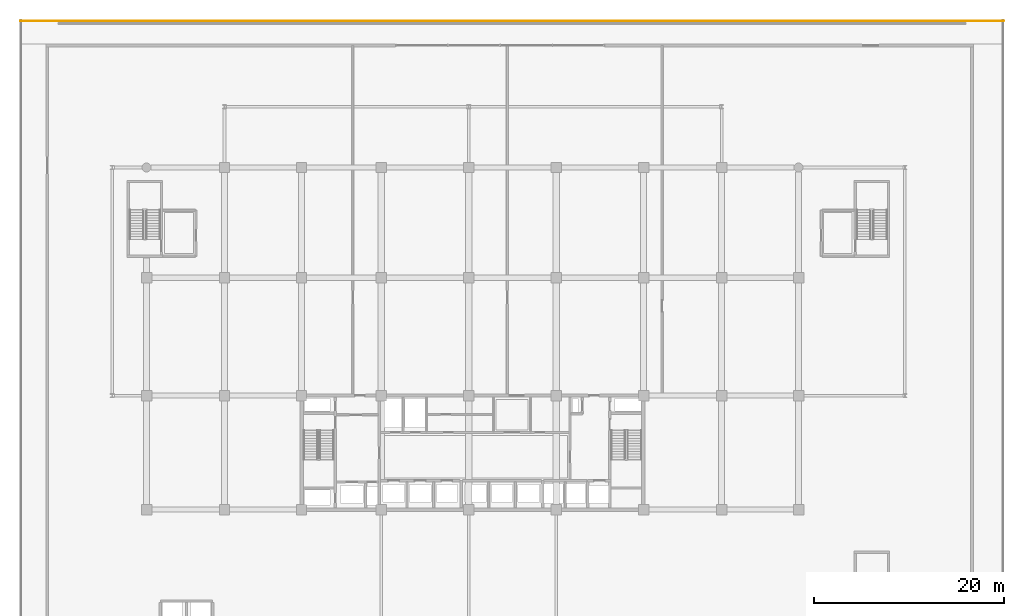
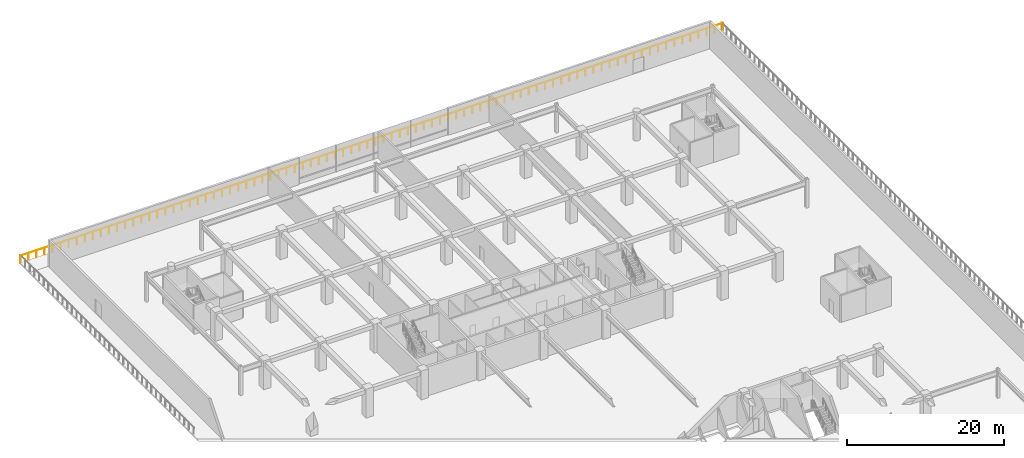
# One storey, part 43 of 43: 1 railing.
"""IFC4 building model written with IfcOpenShell, lengths in metres."""

from ifc_helpers import new_model, si_unit, direction, frame, origin, origin_2d, place, context, subcontext, project, spatial, circle, extrude, material, type_object, element, save


model = new_model("IFC4")

# Units and contexts
model_context = context("Model", 3, precision=1e-05, world=origin(), true_north=direction((0.0, 1.0)))
body_context = subcontext(model_context, "Body", "Model", "MODEL_VIEW")
ifc_project = project(units=[si_unit("LENGTHUNIT", "METRE"), si_unit("AREAUNIT", "SQUARE_METRE"), si_unit("VOLUMEUNIT", "CUBIC_METRE"), si_unit("PLANEANGLEUNIT", "RADIAN"), si_unit("MASSUNIT", "GRAM", prefix="KILO")], contexts=[model_context])

# Site, building, storey
site_placement = place(None, origin())
site = spatial("IfcSite", under=ifc_project, at=site_placement, CompositionType="ELEMENT")
building_placement = place(site_placement, origin())
building = spatial("IfcBuilding", under=site, at=building_placement, Name="Korimba Cascade Residences", CompositionType="ELEMENT")
storey_placement = place(building_placement, frame((0.0, 0.0, 10.0)))
storey = spatial("IfcBuildingStorey", under=building, at=storey_placement, Name="L02", CompositionType="ELEMENT", Elevation=10.0)

# Railing
ifc_material = material(Name="Painted Galvanised Steel Terrace Guardrail", Category="steel")
railing_type = type_object("IfcRailingType", Name="RLG-TER-1150", PredefinedType="GUARDRAIL", material=ifc_material)
railing_placement = place(storey_placement, frame((150.0, 106.6201171875, 0.0)))
element("IfcRailing", 1, at=railing_placement, inside=storey, type_object=railing_type, Name="L02 Perimeter Guardrail RLG-L02-TER-03", PredefinedType="GUARDRAIL", context=body_context, shape_type="SweptSolid", body=[
    extrude(circle(Radius=0.02392578125, at=origin_2d()), frame((0.0, 0.0, 1.1259765625), z_axis=(-1.0, 0.0, 0.0), x_axis=(0.0, -1.0, 0.0)), (0.0, 0.0, 1.0), 103.5),
    extrude(circle(Radius=0.02099609375, at=origin_2d()), origin(), (0.0, 0.0, 1.0), 1.101806640625),
    extrude(circle(Radius=0.02099609375, at=origin_2d()), frame((-1.189697265625, 0.0, 0.0)), (0.0, 0.0, 1.0), 1.101806640625),
    extrude(circle(Radius=0.02099609375, at=origin_2d()), frame((-2.37939453125, 0.0, 0.0)), (0.0, 0.0, 1.0), 1.101806640625),
    extrude(circle(Radius=0.02099609375, at=origin_2d()), frame((-3.56884765625, 0.0, 0.0)), (0.0, 0.0, 1.0), 1.101806640625),
    extrude(circle(Radius=0.02099609375, at=origin_2d()), frame((-4.758544921875, 0.0, 0.0)), (0.0, 0.0, 1.0), 1.101806640625),
    extrude(circle(Radius=0.02099609375, at=origin_2d()), frame((-5.9482421875, 0.0, 0.0)), (0.0, 0.0, 1.0), 1.101806640625),
    extrude(circle(Radius=0.02099609375, at=origin_2d()), frame((-7.137939453125, 0.0, 0.0)), (0.0, 0.0, 1.0), 1.101806640625),
    extrude(circle(Radius=0.02099609375, at=origin_2d()), frame((-8.32763671875, 0.0, 0.0)), (0.0, 0.0, 1.0), 1.101806640625),
    extrude(circle(Radius=0.02099609375, at=origin_2d()), frame((-9.517333984375, 0.0, 0.0)), (0.0, 0.0, 1.0), 1.101806640625),
    extrude(circle(Radius=0.02099609375, at=origin_2d()), frame((-10.706787109375, 0.0, 0.0)), (0.0, 0.0, 1.0), 1.101806640625),
    extrude(circle(Radius=0.02099609375, at=origin_2d()), frame((-11.896484375, 0.0, 0.0)), (0.0, 0.0, 1.0), 1.101806640625),
    extrude(circle(Radius=0.02099609375, at=origin_2d()), frame((-13.086181640625, 0.0, 0.0)), (0.0, 0.0, 1.0), 1.101806640625),
    extrude(circle(Radius=0.02099609375, at=origin_2d()), frame((-14.27587890625, 0.0, 0.0)), (0.0, 0.0, 1.0), 1.101806640625),
    extrude(circle(Radius=0.02099609375, at=origin_2d()), frame((-15.465576171875, 0.0, 0.0)), (0.0, 0.0, 1.0), 1.101806640625),
    extrude(circle(Radius=0.02099609375, at=origin_2d()), frame((-16.6552734375, 0.0, 0.0)), (0.0, 0.0, 1.0), 1.101806640625),
    extrude(circle(Radius=0.02099609375, at=origin_2d()), frame((-17.8447265625, 0.0, 0.0)), (0.0, 0.0, 1.0), 1.101806640625),
    extrude(circle(Radius=0.02099609375, at=origin_2d()), frame((-19.034423828125, 0.0, 0.0)), (0.0, 0.0, 1.0), 1.101806640625),
    extrude(circle(Radius=0.02099609375, at=origin_2d()), frame((-20.22412109375, 0.0, 0.0)), (0.0, 0.0, 1.0), 1.101806640625),
    extrude(circle(Radius=0.02099609375, at=origin_2d()), frame((-21.413818359375, 0.0, 0.0)), (0.0, 0.0, 1.0), 1.101806640625),
    extrude(circle(Radius=0.02099609375, at=origin_2d()), frame((-22.603515625, 0.0, 0.0)), (0.0, 0.0, 1.0), 1.101806640625),
    extrude(circle(Radius=0.02099609375, at=origin_2d()), frame((-23.793212890625, 0.0, 0.0)), (0.0, 0.0, 1.0), 1.101806640625),
    extrude(circle(Radius=0.02099609375, at=origin_2d()), frame((-24.982666015625, 0.0, 0.0)), (0.0, 0.0, 1.0), 1.101806640625),
    extrude(circle(Radius=0.02099609375, at=origin_2d()), frame((-26.17236328125, 0.0, 0.0)), (0.0, 0.0, 1.0), 1.101806640625),
    extrude(circle(Radius=0.02099609375, at=origin_2d()), frame((-27.362060546875, 0.0, 0.0)), (0.0, 0.0, 1.0), 1.101806640625),
    extrude(circle(Radius=0.02099609375, at=origin_2d()), frame((-28.5517578125, 0.0, 0.0)), (0.0, 0.0, 1.0), 1.101806640625),
    extrude(circle(Radius=0.02099609375, at=origin_2d()), frame((-29.741455078125, 0.0, 0.0)), (0.0, 0.0, 1.0), 1.101806640625),
    extrude(circle(Radius=0.02099609375, at=origin_2d()), frame((-30.93115234375, 0.0, 0.0)), (0.0, 0.0, 1.0), 1.101806640625),
    extrude(circle(Radius=0.02099609375, at=origin_2d()), frame((-32.12060546875, 0.0, 0.0)), (0.0, 0.0, 1.0), 1.101806640625),
    extrude(circle(Radius=0.02099609375, at=origin_2d()), frame((-33.310302734375, 0.0, 0.0)), (0.0, 0.0, 1.0), 1.101806640625),
    extrude(circle(Radius=0.02099609375, at=origin_2d()), frame((-34.5, 0.0, 0.0)), (0.0, 0.0, 1.0), 1.101806640625),
    extrude(circle(Radius=0.02099609375, at=origin_2d()), frame((-35.689697265625, 0.0, 0.0)), (0.0, 0.0, 1.0), 1.101806640625),
    extrude(circle(Radius=0.02099609375, at=origin_2d()), frame((-36.87939453125, 0.0, 0.0)), (0.0, 0.0, 1.0), 1.101806640625),
    extrude(circle(Radius=0.02099609375, at=origin_2d()), frame((-38.06884765625, 0.0, 0.0)), (0.0, 0.0, 1.0), 1.101806640625),
    extrude(circle(Radius=0.02099609375, at=origin_2d()), frame((-39.258544921875, 0.0, 0.0)), (0.0, 0.0, 1.0), 1.101806640625),
    extrude(circle(Radius=0.02099609375, at=origin_2d()), frame((-40.4482421875, 0.0, 0.0)), (0.0, 0.0, 1.0), 1.101806640625),
    extrude(circle(Radius=0.02099609375, at=origin_2d()), frame((-41.637939453125, 0.0, 0.0)), (0.0, 0.0, 1.0), 1.101806640625),
    extrude(circle(Radius=0.02099609375, at=origin_2d()), frame((-42.82763671875, 0.0, 0.0)), (0.0, 0.0, 1.0), 1.101806640625),
    extrude(circle(Radius=0.02099609375, at=origin_2d()), frame((-44.017333984375, 0.0, 0.0)), (0.0, 0.0, 1.0), 1.101806640625),
    extrude(circle(Radius=0.02099609375, at=origin_2d()), frame((-45.206787109375, 0.0, 0.0)), (0.0, 0.0, 1.0), 1.101806640625),
    extrude(circle(Radius=0.02099609375, at=origin_2d()), frame((-46.396484375, 0.0, 0.0)), (0.0, 0.0, 1.0), 1.101806640625),
    extrude(circle(Radius=0.02099609375, at=origin_2d()), frame((-47.586181640625, 0.0, 0.0)), (0.0, 0.0, 1.0), 1.101806640625),
    extrude(circle(Radius=0.02099609375, at=origin_2d()), frame((-48.77587890625, 0.0, 0.0)), (0.0, 0.0, 1.0), 1.101806640625),
    extrude(circle(Radius=0.02099609375, at=origin_2d()), frame((-49.965576171875, 0.0, 0.0)), (0.0, 0.0, 1.0), 1.101806640625),
    extrude(circle(Radius=0.02099609375, at=origin_2d()), frame((-51.1552734375, 0.0, 0.0)), (0.0, 0.0, 1.0), 1.101806640625),
    extrude(circle(Radius=0.02099609375, at=origin_2d()), frame((-52.3447265625, 0.0, 0.0)), (0.0, 0.0, 1.0), 1.101806640625),
    extrude(circle(Radius=0.02099609375, at=origin_2d()), frame((-53.534423828125, 0.0, 0.0)), (0.0, 0.0, 1.0), 1.101806640625),
    extrude(circle(Radius=0.02099609375, at=origin_2d()), frame((-54.72412109375, 0.0, 0.0)), (0.0, 0.0, 1.0), 1.101806640625),
    extrude(circle(Radius=0.02099609375, at=origin_2d()), frame((-55.913818359375, 0.0, 0.0)), (0.0, 0.0, 1.0), 1.101806640625),
    extrude(circle(Radius=0.02099609375, at=origin_2d()), frame((-57.103515625, 0.0, 0.0)), (0.0, 0.0, 1.0), 1.101806640625),
    extrude(circle(Radius=0.02099609375, at=origin_2d()), frame((-58.293212890625, 0.0, 0.0)), (0.0, 0.0, 1.0), 1.101806640625),
    extrude(circle(Radius=0.02099609375, at=origin_2d()), frame((-59.482666015625, 0.0, 0.0)), (0.0, 0.0, 1.0), 1.101806640625),
    extrude(circle(Radius=0.02099609375, at=origin_2d()), frame((-60.67236328125, 0.0, 0.0)), (0.0, 0.0, 1.0), 1.101806640625),
    extrude(circle(Radius=0.02099609375, at=origin_2d()), frame((-61.862060546875, 0.0, 0.0)), (0.0, 0.0, 1.0), 1.101806640625),
    extrude(circle(Radius=0.02099609375, at=origin_2d()), frame((-63.0517578125, 0.0, 0.0)), (0.0, 0.0, 1.0), 1.101806640625),
    extrude(circle(Radius=0.02099609375, at=origin_2d()), frame((-64.241455078125, 0.0, 0.0)), (0.0, 0.0, 1.0), 1.101806640625),
    extrude(circle(Radius=0.02099609375, at=origin_2d()), frame((-65.43115234375, 0.0, 0.0)), (0.0, 0.0, 1.0), 1.101806640625),
    extrude(circle(Radius=0.02099609375, at=origin_2d()), frame((-66.62060546875, 0.0, 0.0)), (0.0, 0.0, 1.0), 1.101806640625),
    extrude(circle(Radius=0.02099609375, at=origin_2d()), frame((-67.810302734375, 0.0, 0.0)), (0.0, 0.0, 1.0), 1.101806640625),
    extrude(circle(Radius=0.02099609375, at=origin_2d()), frame((-69.0, 0.0, 0.0)), (0.0, 0.0, 1.0), 1.101806640625),
    extrude(circle(Radius=0.02099609375, at=origin_2d()), frame((-70.189697265625, 0.0, 0.0)), (0.0, 0.0, 1.0), 1.101806640625),
    extrude(circle(Radius=0.02099609375, at=origin_2d()), frame((-71.37939453125, 0.0, 0.0)), (0.0, 0.0, 1.0), 1.101806640625),
    extrude(circle(Radius=0.02099609375, at=origin_2d()), frame((-72.56884765625, 0.0, 0.0)), (0.0, 0.0, 1.0), 1.101806640625),
    extrude(circle(Radius=0.02099609375, at=origin_2d()), frame((-73.758544921875, 0.0, 0.0)), (0.0, 0.0, 1.0), 1.101806640625),
    extrude(circle(Radius=0.02099609375, at=origin_2d()), frame((-74.9482421875, 0.0, 0.0)), (0.0, 0.0, 1.0), 1.101806640625),
    extrude(circle(Radius=0.02099609375, at=origin_2d()), frame((-76.137939453125, 0.0, 0.0)), (0.0, 0.0, 1.0), 1.101806640625),
    extrude(circle(Radius=0.02099609375, at=origin_2d()), frame((-77.32763671875, 0.0, 0.0)), (0.0, 0.0, 1.0), 1.101806640625),
    extrude(circle(Radius=0.02099609375, at=origin_2d()), frame((-78.517333984375, 0.0, 0.0)), (0.0, 0.0, 1.0), 1.101806640625),
    extrude(circle(Radius=0.02099609375, at=origin_2d()), frame((-79.706787109375, 0.0, 0.0)), (0.0, 0.0, 1.0), 1.101806640625),
    extrude(circle(Radius=0.02099609375, at=origin_2d()), frame((-80.896484375, 0.0, 0.0)), (0.0, 0.0, 1.0), 1.101806640625),
    extrude(circle(Radius=0.02099609375, at=origin_2d()), frame((-82.086181640625, 0.0, 0.0)), (0.0, 0.0, 1.0), 1.101806640625),
    extrude(circle(Radius=0.02099609375, at=origin_2d()), frame((-83.27587890625, 0.0, 0.0)), (0.0, 0.0, 1.0), 1.101806640625),
    extrude(circle(Radius=0.02099609375, at=origin_2d()), frame((-84.465576171875, 0.0, 0.0)), (0.0, 0.0, 1.0), 1.101806640625),
    extrude(circle(Radius=0.02099609375, at=origin_2d()), frame((-85.6552734375, 0.0, 0.0)), (0.0, 0.0, 1.0), 1.101806640625),
    extrude(circle(Radius=0.02099609375, at=origin_2d()), frame((-86.8447265625, 0.0, 0.0)), (0.0, 0.0, 1.0), 1.101806640625),
    extrude(circle(Radius=0.02099609375, at=origin_2d()), frame((-88.034423828125, 0.0, 0.0)), (0.0, 0.0, 1.0), 1.101806640625),
    extrude(circle(Radius=0.02099609375, at=origin_2d()), frame((-89.22412109375, 0.0, 0.0)), (0.0, 0.0, 1.0), 1.101806640625),
    extrude(circle(Radius=0.02099609375, at=origin_2d()), frame((-90.413818359375, 0.0, 0.0)), (0.0, 0.0, 1.0), 1.101806640625),
    extrude(circle(Radius=0.02099609375, at=origin_2d()), frame((-91.603515625, 0.0, 0.0)), (0.0, 0.0, 1.0), 1.101806640625),
    extrude(circle(Radius=0.02099609375, at=origin_2d()), frame((-92.793212890625, 0.0, 0.0)), (0.0, 0.0, 1.0), 1.101806640625),
    extrude(circle(Radius=0.02099609375, at=origin_2d()), frame((-93.982666015625, 0.0, 0.0)), (0.0, 0.0, 1.0), 1.101806640625),
    extrude(circle(Radius=0.02099609375, at=origin_2d()), frame((-95.17236328125, 0.0, 0.0)), (0.0, 0.0, 1.0), 1.101806640625),
    extrude(circle(Radius=0.02099609375, at=origin_2d()), frame((-96.362060546875, 0.0, 0.0)), (0.0, 0.0, 1.0), 1.101806640625),
    extrude(circle(Radius=0.02099609375, at=origin_2d()), frame((-97.5517578125, 0.0, 0.0)), (0.0, 0.0, 1.0), 1.101806640625),
    extrude(circle(Radius=0.02099609375, at=origin_2d()), frame((-98.741455078125, 0.0, 0.0)), (0.0, 0.0, 1.0), 1.101806640625),
    extrude(circle(Radius=0.02099609375, at=origin_2d()), frame((-99.93115234375, 0.0, 0.0)), (0.0, 0.0, 1.0), 1.101806640625),
    extrude(circle(Radius=0.02099609375, at=origin_2d()), frame((-101.12060546875, 0.0, 0.0)), (0.0, 0.0, 1.0), 1.101806640625),
    extrude(circle(Radius=0.02099609375, at=origin_2d()), frame((-102.310302734375, 0.0, 0.0)), (0.0, 0.0, 1.0), 1.101806640625),
    extrude(circle(Radius=0.02099609375, at=origin_2d()), frame((-103.5, 0.0, 0.0)), (0.0, 0.0, 1.0), 1.101806640625),
])

save(model, "model.ifc")
